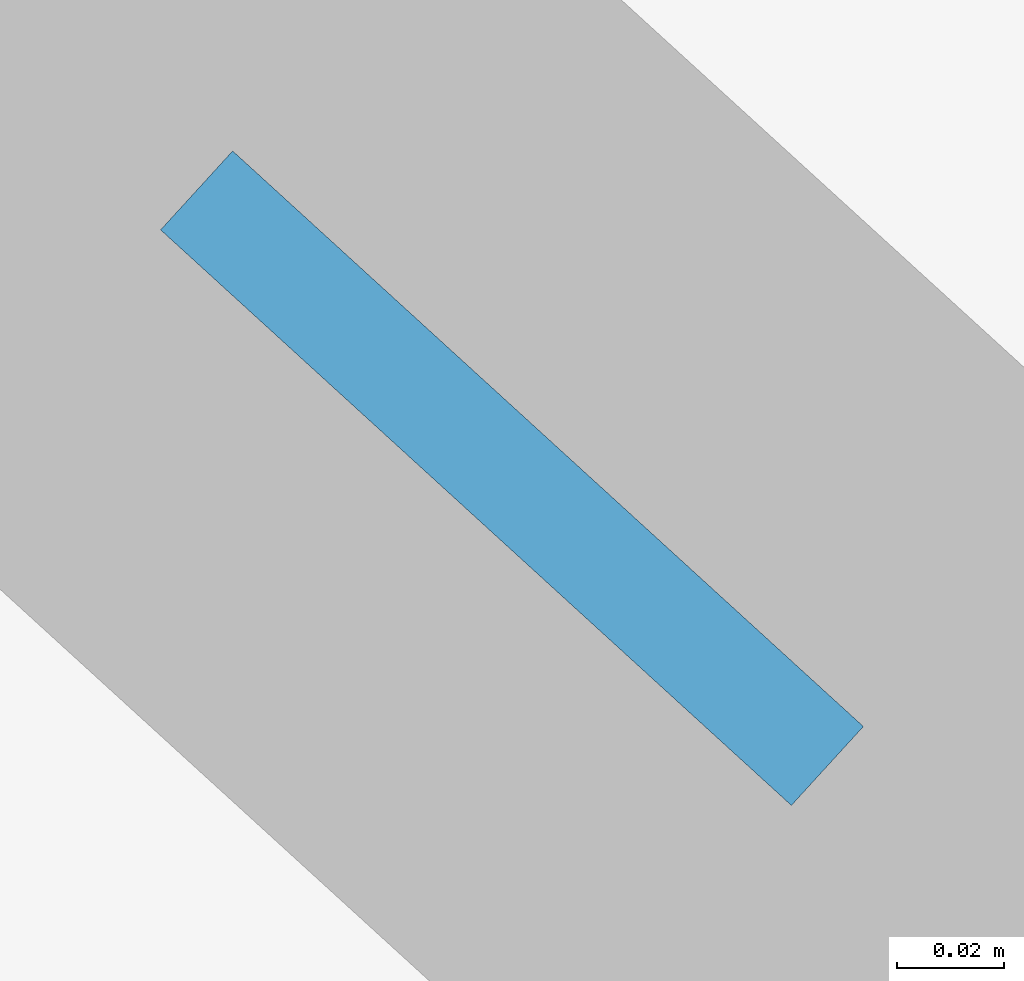
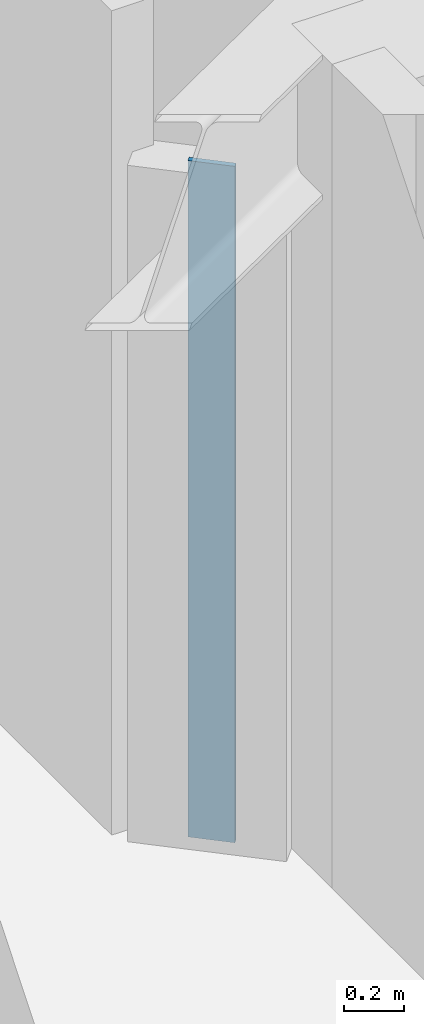
# One storey, part 3 of 10: 1 plate.
"""IFC4 building model written with IfcOpenShell, lengths in metres."""

from ifc_helpers import new_model, si_unit, direction, frame, origin, origin_2d, place, context, subcontext, project, spatial, rectangle, extrude, material, layer, layer_set, type_object, element, save


model = new_model("IFC4")

# Units and contexts
model_context = context("Model", 3, precision=1e-05, world=origin(), true_north=direction((0.0, 1.0)))
body_context = subcontext(model_context, "Body", "Model", "MODEL_VIEW")
ifc_project = project(units=[si_unit("LENGTHUNIT", "METRE"), si_unit("AREAUNIT", "SQUARE_METRE"), si_unit("VOLUMEUNIT", "CUBIC_METRE"), si_unit("PLANEANGLEUNIT", "RADIAN"), si_unit("MASSUNIT", "GRAM", prefix="KILO")], contexts=[model_context])

# Site, building, storey
site_placement = place(None, origin())
site = spatial("IfcSite", under=ifc_project, at=site_placement, CompositionType="ELEMENT")
building_placement = place(site_placement, origin())
building = spatial("IfcBuilding", under=site, at=building_placement, Name="Miruveldt Soraemaru", CompositionType="ELEMENT")
storey_placement = place(building_placement, frame((0.0, 0.0, 230.39990234375)))
storey = spatial("IfcBuildingStorey", under=building, at=storey_placement, Name="L63", CompositionType="ELEMENT", Elevation=230.39990234375)

# Plate
ifc_material = material(Name="Anodised aluminium EN AW-6063 T6", Category="aluminium")
ifc_layer = layer(ifc_material, 0.02001953125, Name="Anodised aluminium EN AW-6063 T6", Category="aluminium")
ifc_layer_set = layer_set([ifc_layer], Name="Anodised aluminium EN AW-6063 T6")
plate_type = type_object("IfcPlateType", Name="PLT-PART-TRIM", PredefinedType="SHEET", material=ifc_layer_set)
plate_placement = place(storey_placement, frame((35.14990234375, 52.87255859375, 0.0), z_axis=(0.0, 0.0, 1.0), x_axis=(0.738690671568, -0.674044576967, 0.0)))
element("IfcPlate", 1, at=plate_placement, inside=storey, type_object=plate_type, Name="L63 Partition Step Corner Trim Plate 001", PredefinedType="SHEET", context=body_context, shape_type="SweptSolid", body=[
    extrude(rectangle(XDim=0.159912109375, YDim=0.02001953125, at=origin_2d()), origin(), (0.0, 0.0, 1.0), 2.7451171875),
])

save(model, "model.ifc")
